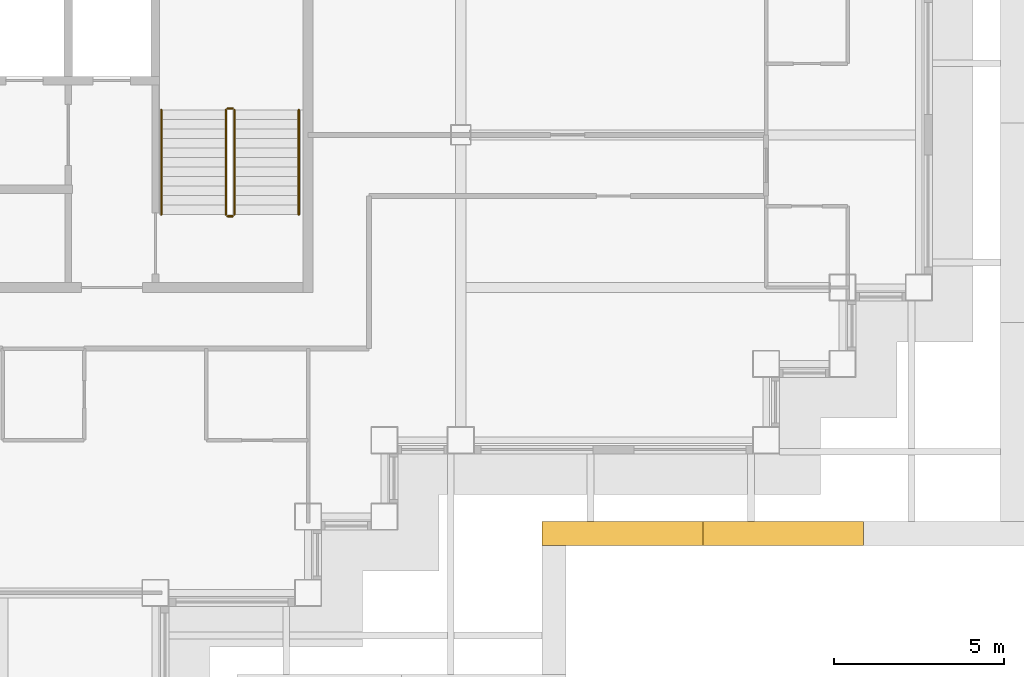
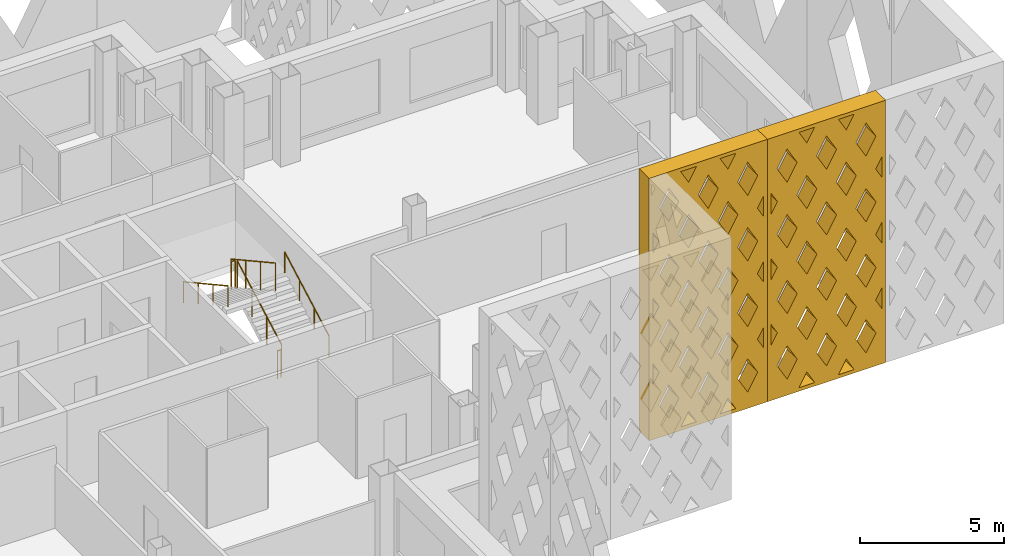
# One storey, part 16 of 18: 6 railings, 2 shading devices.
"""IFC4 building model written with IfcOpenShell, lengths in metres."""

from ifc_helpers import new_model, si_unit, direction, frame, origin, origin_2d, place, context, subcontext, project, spatial, polyline, circle, outline, extrude, material, type_object, element, save


model = new_model("IFC4")

# Units and contexts
model_context = context("Model", 3, precision=1e-05, world=origin(), true_north=direction((0.0, 1.0)))
body_context = subcontext(model_context, "Body", "Model", "MODEL_VIEW")
ifc_project = project(units=[si_unit("LENGTHUNIT", "METRE"), si_unit("AREAUNIT", "SQUARE_METRE"), si_unit("VOLUMEUNIT", "CUBIC_METRE"), si_unit("PLANEANGLEUNIT", "RADIAN"), si_unit("MASSUNIT", "GRAM", prefix="KILO")], contexts=[model_context])

# Site, building, storey
site_placement = place(None, origin())
site = spatial("IfcSite", under=ifc_project, at=site_placement, CompositionType="ELEMENT")
building_placement = place(site_placement, origin())
building = spatial("IfcBuilding", under=site, at=building_placement, Name="Caravel Reach Hotel and Residences", CompositionType="ELEMENT")
storey_placement = place(building_placement, frame((0.0, 0.0, 165.39990234375)))
storey = spatial("IfcBuildingStorey", under=building, at=storey_placement, Name="L41", CompositionType="ELEMENT", Elevation=165.39990234375)

# Shading devices
ifc_material_1 = material(Name="Black powder-coated aluminium", Category="aluminium")
shading_device_type = type_object("IfcShadingDeviceType", Name="Diamond lattice screen panel 4733 x 11100", PredefinedType="USERDEFINED", material=ifc_material_1)
shading_device_1_placement = place(storey_placement, frame((51.89990234375, 15.60009765625, 0.0), z_axis=(0.0, -1.0, 0.0), x_axis=(1.0, 0.0, 0.0)))
element("IfcShadingDevice", 1, at=shading_device_1_placement, inside=storey, type_object=shading_device_type, Name="Lattice screen L41-L43 6.1", ObjectType="SCREEN", PredefinedType="USERDEFINED", context=body_context, shape_type="SweptSolid", body=[
    extrude(outline(polyline([(0.0, 0.0), (4.7333984375, 0.0), (4.7333984375, 11.10009765625), (0.0, 11.10009765625), (0.0, 0.0)]), holes=[polyline([(0.401123046875, 2.77490234375), (0.14990234375, 3.216796875), (0.14990234375, 2.333251953125), (0.401123046875, 2.77490234375)]), polyline([(0.401123046875, 5.550048828125), (0.14990234375, 5.99169921875), (0.14990234375, 5.108154296875), (0.401123046875, 5.550048828125)]), polyline([(0.401123046875, 8.324951171875), (0.14990234375, 8.766845703125), (0.14990234375, 7.88330078125), (0.401123046875, 8.324951171875)]), polyline([(0.788818359375, 2.093017578125), (0.3876953125, 1.387451171875), (0.788818359375, 0.681884765625), (1.190185546875, 1.387451171875), (0.788818359375, 2.093017578125)]), polyline([(0.788818359375, 4.8681640625), (0.3876953125, 4.16259765625), (0.788818359375, 3.456787109375), (1.190185546875, 4.16259765625), (0.788818359375, 4.8681640625)]), polyline([(0.788818359375, 7.64306640625), (0.3876953125, 6.9375), (0.788818359375, 6.23193359375), (1.190185546875, 6.9375), (0.788818359375, 7.64306640625)]), polyline([(0.788818359375, 10.418212890625), (0.3876953125, 9.71240234375), (0.788818359375, 9.0068359375), (1.190185546875, 9.71240234375), (0.788818359375, 10.418212890625)]), polyline([(1.577880859375, 0.70556640625), (1.261962890625, 0.14990234375), (1.893798828125, 0.14990234375), (1.577880859375, 0.70556640625)]), polyline([(1.577880859375, 3.480712890625), (1.176513671875, 2.77490234375), (1.577880859375, 2.0693359375), (1.97900390625, 2.77490234375), (1.577880859375, 3.480712890625)]), polyline([(1.577880859375, 6.255615234375), (1.176513671875, 5.550048828125), (1.577880859375, 4.844482421875), (1.97900390625, 5.550048828125), (1.577880859375, 6.255615234375)]), polyline([(1.577880859375, 9.030517578125), (1.176513671875, 8.324951171875), (1.577880859375, 7.619384765625), (1.97900390625, 8.324951171875), (1.577880859375, 9.030517578125)]), polyline([(1.577880859375, 10.394287109375), (1.893798828125, 10.949951171875), (1.261962890625, 10.949951171875), (1.577880859375, 10.394287109375)]), polyline([(2.36669921875, 2.093017578125), (1.965576171875, 1.387451171875), (2.36669921875, 0.681884765625), (2.767822265625, 1.387451171875), (2.36669921875, 2.093017578125)]), polyline([(2.36669921875, 4.8681640625), (1.965576171875, 4.16259765625), (2.36669921875, 3.456787109375), (2.767822265625, 4.16259765625), (2.36669921875, 4.8681640625)]), polyline([(2.36669921875, 7.64306640625), (1.965576171875, 6.9375), (2.36669921875, 6.23193359375), (2.767822265625, 6.9375), (2.36669921875, 7.64306640625)]), polyline([(2.36669921875, 10.418212890625), (1.965576171875, 9.71240234375), (2.36669921875, 9.0068359375), (2.767822265625, 9.71240234375), (2.36669921875, 10.418212890625)]), polyline([(3.155517578125, 0.70556640625), (2.839599609375, 0.14990234375), (3.471435546875, 0.14990234375), (3.155517578125, 0.70556640625)]), polyline([(3.155517578125, 3.480712890625), (2.75439453125, 2.77490234375), (3.155517578125, 2.0693359375), (3.556640625, 2.77490234375), (3.155517578125, 3.480712890625)]), polyline([(3.155517578125, 6.255615234375), (2.75439453125, 5.550048828125), (3.155517578125, 4.844482421875), (3.556640625, 5.550048828125), (3.155517578125, 6.255615234375)]), polyline([(3.155517578125, 9.030517578125), (2.75439453125, 8.324951171875), (3.155517578125, 7.619384765625), (3.556640625, 8.324951171875), (3.155517578125, 9.030517578125)]), polyline([(3.155517578125, 10.394287109375), (3.471435546875, 10.949951171875), (2.839599609375, 10.949951171875), (3.155517578125, 10.394287109375)]), polyline([(3.9443359375, 2.093017578125), (3.543212890625, 1.387451171875), (3.9443359375, 0.681884765625), (4.345703125, 1.387451171875), (3.9443359375, 2.093017578125)]), polyline([(3.9443359375, 4.8681640625), (3.543212890625, 4.16259765625), (3.9443359375, 3.456787109375), (4.345703125, 4.16259765625), (3.9443359375, 4.8681640625)]), polyline([(3.9443359375, 7.64306640625), (3.543212890625, 6.9375), (3.9443359375, 6.23193359375), (4.345703125, 6.9375), (3.9443359375, 7.64306640625)]), polyline([(3.9443359375, 10.418212890625), (3.543212890625, 9.71240234375), (3.9443359375, 9.0068359375), (4.345703125, 9.71240234375), (3.9443359375, 10.418212890625)]), polyline([(4.33203125, 2.77490234375), (4.583251953125, 2.333251953125), (4.583251953125, 3.216796875), (4.33203125, 2.77490234375)]), polyline([(4.33203125, 5.550048828125), (4.583251953125, 5.108154296875), (4.583251953125, 5.99169921875), (4.33203125, 5.550048828125)]), polyline([(4.33203125, 8.324951171875), (4.583251953125, 7.88330078125), (4.583251953125, 8.766845703125), (4.33203125, 8.324951171875)])]), origin(), (0.0, 0.0, 1.0), 0.7001953125),
])
shading_device_2_placement = place(storey_placement, frame((56.63330078125, 15.60009765625, 0.0), z_axis=(0.0, -1.0, 0.0), x_axis=(1.0, 0.0, 0.0)))
element("IfcShadingDevice", 2, at=shading_device_2_placement, inside=storey, type_object=shading_device_type, Name="Lattice screen L41-L43 6.2", ObjectType="SCREEN", PredefinedType="USERDEFINED", context=body_context, shape_type="SweptSolid", body=[
    extrude(outline(polyline([(0.0, 0.0), (4.7333984375, 0.0), (4.7333984375, 11.10009765625), (0.0, 11.10009765625), (0.0, 0.0)]), holes=[polyline([(0.401123046875, 2.77490234375), (0.14990234375, 3.216796875), (0.14990234375, 2.333251953125), (0.401123046875, 2.77490234375)]), polyline([(0.401123046875, 5.550048828125), (0.14990234375, 5.99169921875), (0.14990234375, 5.108154296875), (0.401123046875, 5.550048828125)]), polyline([(0.401123046875, 8.324951171875), (0.14990234375, 8.766845703125), (0.14990234375, 7.88330078125), (0.401123046875, 8.324951171875)]), polyline([(0.788818359375, 2.093017578125), (0.3876953125, 1.387451171875), (0.788818359375, 0.681884765625), (1.190185546875, 1.387451171875), (0.788818359375, 2.093017578125)]), polyline([(0.788818359375, 4.8681640625), (0.3876953125, 4.16259765625), (0.788818359375, 3.456787109375), (1.190185546875, 4.16259765625), (0.788818359375, 4.8681640625)]), polyline([(0.788818359375, 7.64306640625), (0.3876953125, 6.9375), (0.788818359375, 6.23193359375), (1.190185546875, 6.9375), (0.788818359375, 7.64306640625)]), polyline([(0.788818359375, 10.418212890625), (0.3876953125, 9.71240234375), (0.788818359375, 9.0068359375), (1.190185546875, 9.71240234375), (0.788818359375, 10.418212890625)]), polyline([(1.577880859375, 0.70556640625), (1.261962890625, 0.14990234375), (1.893798828125, 0.14990234375), (1.577880859375, 0.70556640625)]), polyline([(1.577880859375, 3.480712890625), (1.176513671875, 2.77490234375), (1.577880859375, 2.0693359375), (1.97900390625, 2.77490234375), (1.577880859375, 3.480712890625)]), polyline([(1.577880859375, 6.255615234375), (1.176513671875, 5.550048828125), (1.577880859375, 4.844482421875), (1.97900390625, 5.550048828125), (1.577880859375, 6.255615234375)]), polyline([(1.577880859375, 9.030517578125), (1.176513671875, 8.324951171875), (1.577880859375, 7.619384765625), (1.97900390625, 8.324951171875), (1.577880859375, 9.030517578125)]), polyline([(1.577880859375, 10.394287109375), (1.893798828125, 10.949951171875), (1.261962890625, 10.949951171875), (1.577880859375, 10.394287109375)]), polyline([(2.36669921875, 2.093017578125), (1.965576171875, 1.387451171875), (2.36669921875, 0.681884765625), (2.767822265625, 1.387451171875), (2.36669921875, 2.093017578125)]), polyline([(2.36669921875, 4.8681640625), (1.965576171875, 4.16259765625), (2.36669921875, 3.456787109375), (2.767822265625, 4.16259765625), (2.36669921875, 4.8681640625)]), polyline([(2.36669921875, 7.64306640625), (1.965576171875, 6.9375), (2.36669921875, 6.23193359375), (2.767822265625, 6.9375), (2.36669921875, 7.64306640625)]), polyline([(2.36669921875, 10.418212890625), (1.965576171875, 9.71240234375), (2.36669921875, 9.0068359375), (2.767822265625, 9.71240234375), (2.36669921875, 10.418212890625)]), polyline([(3.155517578125, 0.70556640625), (2.839599609375, 0.14990234375), (3.471435546875, 0.14990234375), (3.155517578125, 0.70556640625)]), polyline([(3.155517578125, 3.480712890625), (2.75439453125, 2.77490234375), (3.155517578125, 2.0693359375), (3.556640625, 2.77490234375), (3.155517578125, 3.480712890625)]), polyline([(3.155517578125, 6.255615234375), (2.75439453125, 5.550048828125), (3.155517578125, 4.844482421875), (3.556640625, 5.550048828125), (3.155517578125, 6.255615234375)]), polyline([(3.155517578125, 9.030517578125), (2.75439453125, 8.324951171875), (3.155517578125, 7.619384765625), (3.556640625, 8.324951171875), (3.155517578125, 9.030517578125)]), polyline([(3.155517578125, 10.394287109375), (3.471435546875, 10.949951171875), (2.839599609375, 10.949951171875), (3.155517578125, 10.394287109375)]), polyline([(3.9443359375, 2.093017578125), (3.543212890625, 1.387451171875), (3.9443359375, 0.681884765625), (4.345703125, 1.387451171875), (3.9443359375, 2.093017578125)]), polyline([(3.9443359375, 4.8681640625), (3.543212890625, 4.16259765625), (3.9443359375, 3.456787109375), (4.345703125, 4.16259765625), (3.9443359375, 4.8681640625)]), polyline([(3.9443359375, 7.64306640625), (3.543212890625, 6.9375), (3.9443359375, 6.23193359375), (4.345703125, 6.9375), (3.9443359375, 7.64306640625)]), polyline([(3.9443359375, 10.418212890625), (3.543212890625, 9.71240234375), (3.9443359375, 9.0068359375), (4.345703125, 9.71240234375), (3.9443359375, 10.418212890625)]), polyline([(4.33203125, 2.77490234375), (4.583251953125, 2.333251953125), (4.583251953125, 3.216796875), (4.33203125, 2.77490234375)]), polyline([(4.33203125, 5.550048828125), (4.583251953125, 5.108154296875), (4.583251953125, 5.99169921875), (4.33203125, 5.550048828125)]), polyline([(4.33203125, 8.324951171875), (4.583251953125, 7.88330078125), (4.583251953125, 8.766845703125), (4.33203125, 8.324951171875)])]), origin(), (0.0, 0.0, 1.0), 0.7001953125),
])

# Railings
ifc_material_2 = material(Name="Steel balustrade with glass infill", Category="steel")
railing_type_1 = type_object("IfcRailingType", Name="Guard 1200", PredefinedType="GUARDRAIL", material=ifc_material_2)
railing_1_placement = place(storey_placement, frame((42.824951171875, 24.64990234375, 0.154296875)))
element("IfcRailing", 3, at=railing_1_placement, inside=storey, type_object=railing_type_1, Name="L41 ST-B stair guard 1", PredefinedType="GUARDRAIL", context=body_context, shape_type="SweptSolid", body=[
    extrude(circle(Radius=0.02392578125, at=origin_2d()), frame((0.0, 0.0, 1.17578125), z_axis=(0.0, 0.876004717809, 0.482302534076), x_axis=(-1.0, 0.0, 0.0)), (0.0, 0.0, 1.0), 3.51611328125),
    extrude(circle(Radius=0.02099609375, at=origin_2d()), origin(), (0.0, 0.0, 1.0), 1.15185546875),
    extrude(circle(Radius=0.02099609375, at=origin_2d()), frame((0.0, 1.026611328125, 0.565185546875)), (0.0, 0.0, 1.0), 1.15185546875),
    extrude(circle(Radius=0.02099609375, at=origin_2d()), frame((0.0, 2.053466796875, 1.130615234375)), (0.0, 0.0, 1.0), 1.15185546875),
    extrude(circle(Radius=0.02099609375, at=origin_2d()), frame((0.0, 3.080078125, 1.69580078125)), (0.0, 0.0, 1.0), 1.15185546875),
])
railing_2_placement = place(storey_placement, frame((42.77490234375, 27.780029296875, 1.85009765625)))
element("IfcRailing", 4, at=railing_2_placement, inside=storey, type_object=railing_type_1, Name="L41 ST-B stair guard 2", PredefinedType="GUARDRAIL", context=body_context, shape_type="SweptSolid", body=[
    extrude(circle(Radius=0.02392578125, at=origin_2d()), frame((0.0, 0.0, 1.17578125), z_axis=(-1.0, 0.0, 0.0), x_axis=(0.0, -1.0, 0.0)), (0.0, 0.0, 1.0), 0.14990234375),
    extrude(circle(Radius=0.02099609375, at=origin_2d()), origin(), (0.0, 0.0, 1.0), 1.15185546875),
    extrude(circle(Radius=0.02099609375, at=origin_2d()), frame((-0.14990234375, 0.0, 0.0)), (0.0, 0.0, 1.0), 1.15185546875),
])
railing_3_placement = place(storey_placement, frame((42.574951171875, 27.72998046875, 2.004150390625)))
element("IfcRailing", 5, at=railing_3_placement, inside=storey, type_object=railing_type_1, Name="L41 ST-B stair guard 3", PredefinedType="GUARDRAIL", context=body_context, shape_type="SweptSolid", body=[
    extrude(circle(Radius=0.02392578125, at=origin_2d()), frame((0.0, 0.0, 1.17578125), z_axis=(0.0, -0.875975380505, 0.482355815502), x_axis=(1.0, 0.0, 0.0)), (0.0, 0.0, 1.0), 3.51611328125),
    extrude(circle(Radius=0.02099609375, at=origin_2d()), origin(), (0.0, 0.0, 1.0), 1.15185546875),
    extrude(circle(Radius=0.02099609375, at=origin_2d()), frame((0.0, -1.026611328125, 0.5654296875)), (0.0, 0.0, 1.0), 1.15185546875),
    extrude(circle(Radius=0.02099609375, at=origin_2d()), frame((0.0, -2.053466796875, 1.130615234375)), (0.0, 0.0, 1.0), 1.15185546875),
    extrude(circle(Radius=0.02099609375, at=origin_2d()), frame((0.0, -3.080078125, 1.696044921875)), (0.0, 0.0, 1.0), 1.15185546875),
])
railing_4_placement = place(storey_placement, frame((42.77490234375, 24.60009765625, 0.0)))
element("IfcRailing", 6, at=railing_4_placement, inside=storey, type_object=railing_type_1, Name="L41 ST-B stair guard 4", PredefinedType="GUARDRAIL", context=body_context, shape_type="SweptSolid", body=[
    extrude(circle(Radius=0.02392578125, at=origin_2d()), frame((0.0, 0.0, 1.17578125), z_axis=(-1.0, 0.0, 0.0), x_axis=(0.0, -1.0, 0.0)), (0.0, 0.0, 1.0), 0.14990234375),
    extrude(circle(Radius=0.02099609375, at=origin_2d()), origin(), (0.0, 0.0, 1.0), 1.15185546875),
    extrude(circle(Radius=0.02099609375, at=origin_2d()), frame((-0.14990234375, 0.0, 0.0)), (0.0, 0.0, 1.0), 1.15185546875),
])
ifc_material_3 = material(Name="Stainless steel handrail", Category="steel")
railing_type_2 = type_object("IfcRailingType", Name="Handrail 900", PredefinedType="HANDRAIL", material=ifc_material_3)
railing_5_placement = place(storey_placement, frame((44.72509765625, 24.64990234375, 0.154296875)))
element("IfcRailing", 7, at=railing_5_placement, inside=storey, type_object=railing_type_2, Name="L41 ST-B stair handrail 1", PredefinedType="HANDRAIL", context=body_context, shape_type="SweptSolid", body=[
    extrude(circle(Radius=0.02392578125, at=origin_2d()), frame((0.0, 0.0, 0.8759765625), z_axis=(0.0, 0.876004717809, 0.482302534076), x_axis=(-1.0, 0.0, 0.0)), (0.0, 0.0, 1.0), 3.51611328125),
    extrude(circle(Radius=0.02099609375, at=origin_2d()), origin(), (0.0, 0.0, 1.0), 0.851806640625),
    extrude(circle(Radius=0.02099609375, at=origin_2d()), frame((0.0, 1.026611328125, 0.565185546875)), (0.0, 0.0, 1.0), 0.851806640625),
    extrude(circle(Radius=0.02099609375, at=origin_2d()), frame((0.0, 2.053466796875, 1.130615234375)), (0.0, 0.0, 1.0), 0.851806640625),
    extrude(circle(Radius=0.02099609375, at=origin_2d()), frame((0.0, 3.080078125, 1.69580078125)), (0.0, 0.0, 1.0), 0.851806640625),
])
railing_6_placement = place(storey_placement, frame((40.675048828125, 27.72998046875, 2.004150390625)))
element("IfcRailing", 8, at=railing_6_placement, inside=storey, type_object=railing_type_2, Name="L41 ST-B stair handrail 2", PredefinedType="HANDRAIL", context=body_context, shape_type="SweptSolid", body=[
    extrude(circle(Radius=0.02392578125, at=origin_2d()), frame((0.0, 0.0, 0.8759765625), z_axis=(0.0, -0.875975380505, 0.482355815502), x_axis=(1.0, 0.0, 0.0)), (0.0, 0.0, 1.0), 3.51611328125),
    extrude(circle(Radius=0.02099609375, at=origin_2d()), origin(), (0.0, 0.0, 1.0), 0.851806640625),
    extrude(circle(Radius=0.02099609375, at=origin_2d()), frame((0.0, -1.026611328125, 0.5654296875)), (0.0, 0.0, 1.0), 0.851806640625),
    extrude(circle(Radius=0.02099609375, at=origin_2d()), frame((0.0, -2.053466796875, 1.130615234375)), (0.0, 0.0, 1.0), 0.851806640625),
    extrude(circle(Radius=0.02099609375, at=origin_2d()), frame((0.0, -3.080078125, 1.696044921875)), (0.0, 0.0, 1.0), 0.851806640625),
])

save(model, "model.ifc")
